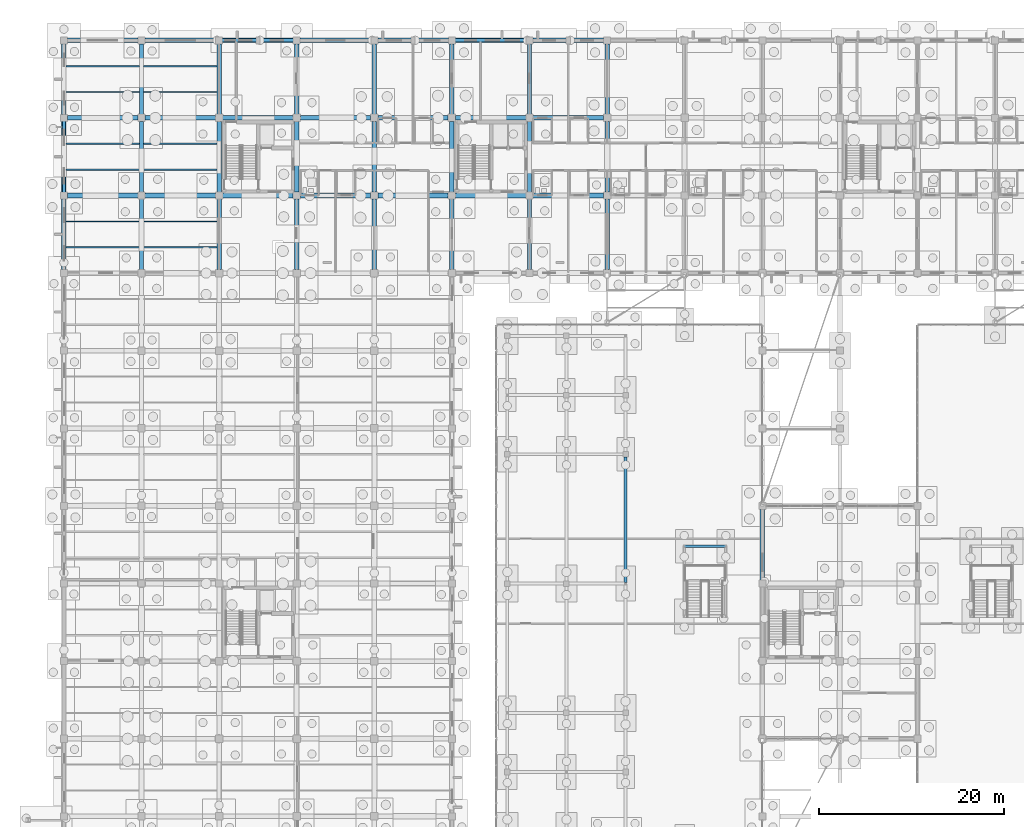
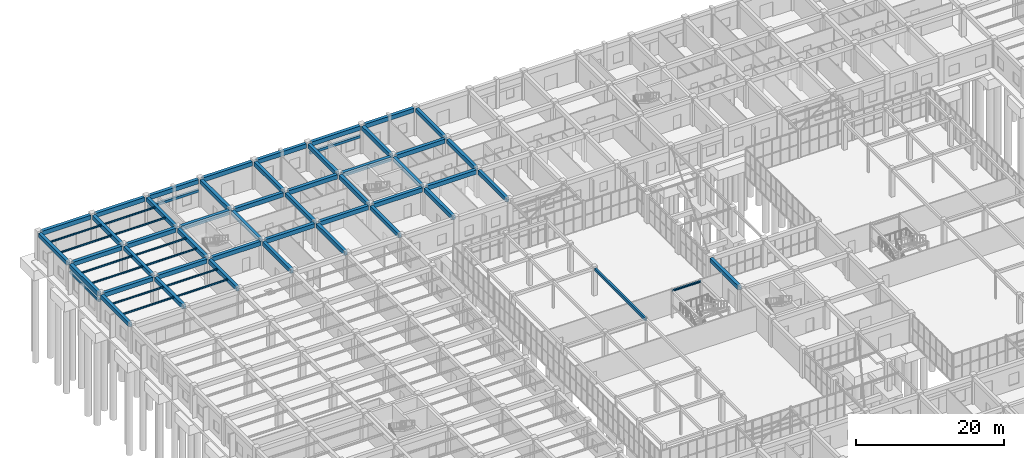
# One storey, part 92 of 192: 63 beams.
"""IFC4 building model written with IfcOpenShell, lengths in metres."""

from ifc_helpers import new_model, si_unit, direction, frame, origin, origin_2d, place, context, subcontext, project, spatial, rectangle, i_section, extrude, material, material_profile, profile_set, type_object, element, save


model = new_model("IFC4")

# Units and contexts
model_context = context("Model", 3, precision=1e-05, world=origin(), true_north=direction((0.0, 1.0)))
body_context = subcontext(model_context, "Body", "Model", "MODEL_VIEW")
ifc_project = project(units=[si_unit("LENGTHUNIT", "METRE"), si_unit("AREAUNIT", "SQUARE_METRE"), si_unit("VOLUMEUNIT", "CUBIC_METRE"), si_unit("PLANEANGLEUNIT", "RADIAN"), si_unit("MASSUNIT", "GRAM", prefix="KILO")], contexts=[model_context])

# Site, building, storey
site_placement = place(None, origin())
site = spatial("IfcSite", under=ifc_project, at=site_placement, CompositionType="ELEMENT")
building_placement = place(site_placement, origin())
building = spatial("IfcBuilding", under=site, at=building_placement, Name="Trelvath General Hospital", CompositionType="ELEMENT")
storey_placement = place(building_placement, origin())
storey = spatial("IfcBuildingStorey", under=building, at=storey_placement, Name="L00", CompositionType="ELEMENT", Elevation=0.0)

# Beams
ifc_material_1 = material(Name="Concrete C35/45", Category="concrete")
ifc_material_profile_1 = material_profile(ifc_material_1, rectangle(XDim=0.300048828125, YDim=0.449951171875, at=origin_2d()), Name="RCB300x450")
ifc_profile_set_1 = profile_set([ifc_material_profile_1], Name="Concrete C35/45")
beam_type_1 = type_object("IfcBeamType", Name="Beam RC300x450", PredefinedType="BEAM", material=ifc_profile_set_1)
beam_1_placement = place(storey_placement, frame((60.800048828125, 58.906005859375, 4.3349609375), z_axis=(0.0, 1.0, 0.0), x_axis=(-1.0, 0.0, 0.0)))
element("IfcBeam", 1, at=beam_1_placement, inside=storey, type_object=beam_type_1, Name="Cube Interior Ring Beam CUBE-W-T0 L00", PredefinedType="BEAM", context=body_context, shape_type="SweptSolid", body=[
    extrude(rectangle(XDim=0.300048828125, YDim=0.449951171875, at=origin_2d()), origin(), (0.0, 0.0, 1.0), 13.597900390625),
])
ifc_material_2 = material(Name="Concrete C35/45", Category="concrete")
ifc_material_profile_2 = material_profile(ifc_material_2, rectangle(XDim=0.47998046875, YDim=0.679931640625, at=origin_2d()), Name="RCB480x680")
ifc_profile_set_2 = profile_set([ifc_material_profile_2], Name="Concrete C35/45")
beam_type_2 = type_object("IfcBeamType", Name="Beam RC480x680", PredefinedType="BEAM", material=ifc_profile_set_2)
beam_2_placement = place(storey_placement, frame((0.0, 92.77490234375, 4.179931640625), z_axis=(0.0, 1.0, 0.0), x_axis=(-1.0, 0.0, 0.0)))
element("IfcBeam", 2, at=beam_2_placement, inside=storey, type_object=beam_type_2, Name="Grid Beam BY-000L", PredefinedType="BEAM", context=body_context, shape_type="SweptSolid", body=[
    extrude(rectangle(XDim=0.47998046875, YDim=0.679931640625, at=origin_2d()), origin(), (0.0, 0.0, 1.0), 7.650146484375),
])
beam_3_placement = place(storey_placement, frame((0.0, 101.175048828125, 4.179931640625), z_axis=(0.0, 1.0, 0.0), x_axis=(-1.0, 0.0, 0.0)))
element("IfcBeam", 3, at=beam_3_placement, inside=storey, type_object=beam_type_2, Name="Grid Beam BY-000M", PredefinedType="BEAM", context=body_context, shape_type="SweptSolid", body=[
    extrude(rectangle(XDim=0.47998046875, YDim=0.679931640625, at=origin_2d()), origin(), (0.0, 0.0, 1.0), 7.64990234375),
])
beam_4_placement = place(storey_placement, frame((0.0, 109.574951171875, 4.179931640625), z_axis=(0.0, 1.0, 0.0), x_axis=(-1.0, 0.0, 0.0)))
element("IfcBeam", 4, at=beam_4_placement, inside=storey, type_object=beam_type_2, Name="Grid Beam BY-000N", PredefinedType="BEAM", context=body_context, shape_type="SweptSolid", body=[
    extrude(rectangle(XDim=0.47998046875, YDim=0.679931640625, at=origin_2d()), origin(), (0.0, 0.0, 1.0), 7.650146484375),
])
beam_5_placement = place(storey_placement, frame((8.39990234375, 92.794921875, 4.179931640625), z_axis=(0.0, 1.0, 0.0), x_axis=(-1.0, 0.0, 0.0)))
element("IfcBeam", 5, at=beam_5_placement, inside=storey, type_object=beam_type_2, Name="Grid Beam BY-001L", PredefinedType="BEAM", context=body_context, shape_type="SweptSolid", body=[
    extrude(rectangle(XDim=0.47998046875, YDim=0.679931640625, at=origin_2d()), origin(), (0.0, 0.0, 1.0), 7.610107421875),
])
beam_6_placement = place(storey_placement, frame((8.39990234375, 101.195068359375, 4.179931640625), z_axis=(0.0, 1.0, 0.0), x_axis=(-1.0, 0.0, 0.0)))
element("IfcBeam", 6, at=beam_6_placement, inside=storey, type_object=beam_type_2, Name="Grid Beam BY-001M", PredefinedType="BEAM", context=body_context, shape_type="SweptSolid", body=[
    extrude(rectangle(XDim=0.47998046875, YDim=0.679931640625, at=origin_2d()), origin(), (0.0, 0.0, 1.0), 7.60986328125),
])
beam_7_placement = place(storey_placement, frame((8.39990234375, 109.594970703125, 4.179931640625), z_axis=(0.0, 1.0, 0.0), x_axis=(-1.0, 0.0, 0.0)))
element("IfcBeam", 7, at=beam_7_placement, inside=storey, type_object=beam_type_2, Name="Grid Beam BY-001N", PredefinedType="BEAM", context=body_context, shape_type="SweptSolid", body=[
    extrude(rectangle(XDim=0.47998046875, YDim=0.679931640625, at=origin_2d()), origin(), (0.0, 0.0, 1.0), 7.630126953125),
])
beam_8_placement = place(storey_placement, frame((16.800048828125, 92.794921875, 4.179931640625), z_axis=(0.0, 1.0, 0.0), x_axis=(-1.0, 0.0, 0.0)))
element("IfcBeam", 8, at=beam_8_placement, inside=storey, type_object=beam_type_2, Name="Grid Beam BY-002L", PredefinedType="BEAM", context=body_context, shape_type="SweptSolid", body=[
    extrude(rectangle(XDim=0.47998046875, YDim=0.679931640625, at=origin_2d()), origin(), (0.0, 0.0, 1.0), 7.610107421875),
])
beam_9_placement = place(storey_placement, frame((16.800048828125, 101.195068359375, 4.179931640625), z_axis=(0.0, 1.0, 0.0), x_axis=(-1.0, 0.0, 0.0)))
element("IfcBeam", 9, at=beam_9_placement, inside=storey, type_object=beam_type_2, Name="Grid Beam BY-002M", PredefinedType="BEAM", context=body_context, shape_type="SweptSolid", body=[
    extrude(rectangle(XDim=0.47998046875, YDim=0.679931640625, at=origin_2d()), origin(), (0.0, 0.0, 1.0), 7.60986328125),
])
beam_10_placement = place(storey_placement, frame((16.800048828125, 109.594970703125, 4.179931640625), z_axis=(0.0, 1.0, 0.0), x_axis=(-1.0, 0.0, 0.0)))
element("IfcBeam", 10, at=beam_10_placement, inside=storey, type_object=beam_type_2, Name="Grid Beam BY-002N", PredefinedType="BEAM", context=body_context, shape_type="SweptSolid", body=[
    extrude(rectangle(XDim=0.47998046875, YDim=0.679931640625, at=origin_2d()), origin(), (0.0, 0.0, 1.0), 7.630126953125),
])
beam_11_placement = place(storey_placement, frame((25.199951171875, 92.794921875, 4.179931640625), z_axis=(0.0, 1.0, 0.0), x_axis=(-1.0, 0.0, 0.0)))
element("IfcBeam", 11, at=beam_11_placement, inside=storey, type_object=beam_type_2, Name="Grid Beam BY-003L", PredefinedType="BEAM", context=body_context, shape_type="SweptSolid", body=[
    extrude(rectangle(XDim=0.47998046875, YDim=0.679931640625, at=origin_2d()), origin(), (0.0, 0.0, 1.0), 7.610107421875),
])
beam_12_placement = place(storey_placement, frame((25.199951171875, 101.195068359375, 4.179931640625), z_axis=(0.0, 1.0, 0.0), x_axis=(-1.0, 0.0, 0.0)))
element("IfcBeam", 12, at=beam_12_placement, inside=storey, type_object=beam_type_2, Name="Grid Beam BY-003M", PredefinedType="BEAM", context=body_context, shape_type="SweptSolid", body=[
    extrude(rectangle(XDim=0.47998046875, YDim=0.679931640625, at=origin_2d()), origin(), (0.0, 0.0, 1.0), 7.60986328125),
])
beam_13_placement = place(storey_placement, frame((25.199951171875, 109.594970703125, 4.179931640625), z_axis=(0.0, 1.0, 0.0), x_axis=(-1.0, 0.0, 0.0)))
element("IfcBeam", 13, at=beam_13_placement, inside=storey, type_object=beam_type_2, Name="Grid Beam BY-003N", PredefinedType="BEAM", context=body_context, shape_type="SweptSolid", body=[
    extrude(rectangle(XDim=0.47998046875, YDim=0.679931640625, at=origin_2d()), origin(), (0.0, 0.0, 1.0), 7.630126953125),
])
beam_14_placement = place(storey_placement, frame((33.60009765625, 92.794921875, 4.179931640625), z_axis=(0.0, 1.0, 0.0), x_axis=(-1.0, 0.0, 0.0)))
element("IfcBeam", 14, at=beam_14_placement, inside=storey, type_object=beam_type_2, Name="Grid Beam BY-004L", PredefinedType="BEAM", context=body_context, shape_type="SweptSolid", body=[
    extrude(rectangle(XDim=0.47998046875, YDim=0.679931640625, at=origin_2d()), origin(), (0.0, 0.0, 1.0), 7.610107421875),
])
beam_15_placement = place(storey_placement, frame((33.60009765625, 101.195068359375, 4.179931640625), z_axis=(0.0, 1.0, 0.0), x_axis=(-1.0, 0.0, 0.0)))
element("IfcBeam", 15, at=beam_15_placement, inside=storey, type_object=beam_type_2, Name="Grid Beam BY-004M", PredefinedType="BEAM", context=body_context, shape_type="SweptSolid", body=[
    extrude(rectangle(XDim=0.47998046875, YDim=0.679931640625, at=origin_2d()), origin(), (0.0, 0.0, 1.0), 7.60986328125),
])
for number, where, z_axis, x_axis, name in (
    (16, (33.60009765625, 109.594970703125, 4.179931640625), (0.0, 1.0, 0.0), (-1.0, 0.0, 0.0), "Grid Beam BY-004N"),
    (17, (42.0, 92.77490234375, 4.179931640625), (0.0, 1.0, 0.0), (-1.0, 0.0, 0.0), "Grid Beam BY-005L"),
):
    element("IfcBeam", number, at=place(storey_placement, frame(where, z_axis=z_axis, x_axis=x_axis)), inside=storey, type_object=beam_type_2, Name=name, PredefinedType="BEAM", context=body_context, shape_type="SweptSolid", body=[
        extrude(rectangle(XDim=0.47998046875, YDim=0.679931640625, at=origin_2d()), origin(), (0.0, 0.0, 1.0), 7.630126953125),
    ])
beam_16_placement = place(storey_placement, frame((42.0, 101.195068359375, 4.179931640625), z_axis=(0.0, 1.0, 0.0), x_axis=(-1.0, 0.0, 0.0)))
element("IfcBeam", 18, at=beam_16_placement, inside=storey, type_object=beam_type_2, Name="Grid Beam BY-005M", PredefinedType="BEAM", context=body_context, shape_type="SweptSolid", body=[
    extrude(rectangle(XDim=0.47998046875, YDim=0.679931640625, at=origin_2d()), origin(), (0.0, 0.0, 1.0), 7.60986328125),
])
for number, where, z_axis, x_axis, name in (
    (19, (42.0, 109.594970703125, 4.179931640625), (0.0, 1.0, 0.0), (-1.0, 0.0, 0.0), "Grid Beam BY-005N"),
    (20, (50.39990234375, 92.77490234375, 4.179931640625), (0.0, 1.0, 0.0), (-1.0, 0.0, 0.0), "Grid Beam BY-006L"),
):
    element("IfcBeam", number, at=place(storey_placement, frame(where, z_axis=z_axis, x_axis=x_axis)), inside=storey, type_object=beam_type_2, Name=name, PredefinedType="BEAM", context=body_context, shape_type="SweptSolid", body=[
        extrude(rectangle(XDim=0.47998046875, YDim=0.679931640625, at=origin_2d()), origin(), (0.0, 0.0, 1.0), 7.630126953125),
    ])
beam_17_placement = place(storey_placement, frame((50.39990234375, 101.195068359375, 4.179931640625), z_axis=(0.0, 1.0, 0.0), x_axis=(-1.0, 0.0, 0.0)))
element("IfcBeam", 21, at=beam_17_placement, inside=storey, type_object=beam_type_2, Name="Grid Beam BY-006M", PredefinedType="BEAM", context=body_context, shape_type="SweptSolid", body=[
    extrude(rectangle(XDim=0.47998046875, YDim=0.679931640625, at=origin_2d()), origin(), (0.0, 0.0, 1.0), 7.60986328125),
])
for number, where, z_axis, x_axis, name in (
    (22, (50.39990234375, 109.594970703125, 4.179931640625), (0.0, 1.0, 0.0), (-1.0, 0.0, 0.0), "Grid Beam BY-006N"),
    (23, (58.800048828125, 92.77490234375, 4.179931640625), (0.0, 1.0, 0.0), (-1.0, 0.0, 0.0), "Grid Beam BY-007L"),
):
    element("IfcBeam", number, at=place(storey_placement, frame(where, z_axis=z_axis, x_axis=x_axis)), inside=storey, type_object=beam_type_2, Name=name, PredefinedType="BEAM", context=body_context, shape_type="SweptSolid", body=[
        extrude(rectangle(XDim=0.47998046875, YDim=0.679931640625, at=origin_2d()), origin(), (0.0, 0.0, 1.0), 7.630126953125),
    ])
beam_18_placement = place(storey_placement, frame((58.800048828125, 101.195068359375, 4.179931640625), z_axis=(0.0, 1.0, 0.0), x_axis=(-1.0, 0.0, 0.0)))
element("IfcBeam", 24, at=beam_18_placement, inside=storey, type_object=beam_type_2, Name="Grid Beam BY-007M", PredefinedType="BEAM", context=body_context, shape_type="SweptSolid", body=[
    extrude(rectangle(XDim=0.47998046875, YDim=0.679931640625, at=origin_2d()), origin(), (0.0, 0.0, 1.0), 7.60986328125),
])
beam_19_placement = place(storey_placement, frame((58.800048828125, 109.594970703125, 4.179931640625), z_axis=(0.0, 1.0, 0.0), x_axis=(-1.0, 0.0, 0.0)))
element("IfcBeam", 25, at=beam_19_placement, inside=storey, type_object=beam_type_2, Name="Grid Beam BY-007N", PredefinedType="BEAM", context=body_context, shape_type="SweptSolid", body=[
    extrude(rectangle(XDim=0.47998046875, YDim=0.679931640625, at=origin_2d()), origin(), (0.0, 0.0, 1.0), 7.630126953125),
])
beam_20_placement = place(storey_placement, frame((75.60009765625, 59.175048828125, 4.179931640625), z_axis=(0.0, 1.0, 0.0), x_axis=(-1.0, 0.0, 0.0)))
element("IfcBeam", 26, at=beam_20_placement, inside=storey, type_object=beam_type_2, Name="Grid Beam BY-009H", PredefinedType="BEAM", context=body_context, shape_type="SweptSolid", body=[
    extrude(rectangle(XDim=0.47998046875, YDim=0.679931640625, at=origin_2d()), origin(), (0.0, 0.0, 1.0), 7.64990234375),
])
ifc_material_3 = material(Name="Concrete C35/45", Category="concrete")
ifc_material_profile_3 = material_profile(ifc_material_3, rectangle(XDim=0.5, YDim=0.699951171875, at=origin_2d()), Name="RCB500x700")
ifc_profile_set_3 = profile_set([ifc_material_profile_3], Name="Concrete C35/45")
beam_type_3 = type_object("IfcBeamType", Name="Beam RC500x700", PredefinedType="BEAM", material=ifc_profile_set_3)
for number, where, z_axis, x_axis, name in (
    (27, (0.375, 100.800048828125, 4.169921875), (1.0, 0.0, 0.0), (0.0, 1.0, 0.0), "Grid Beam BX-000M"),
    (28, (0.375, 109.199951171875, 4.169921875), (1.0, 0.0, 0.0), (0.0, 1.0, 0.0), "Grid Beam BX-000N"),
):
    element("IfcBeam", number, at=place(storey_placement, frame(where, z_axis=z_axis, x_axis=x_axis)), inside=storey, type_object=beam_type_3, Name=name, PredefinedType="BEAM", context=body_context, shape_type="SweptSolid", body=[
        extrude(rectangle(XDim=0.5, YDim=0.699951171875, at=origin_2d()), origin(), (0.0, 0.0, 1.0), 7.6298828125),
    ])
beam_21_placement = place(storey_placement, frame((0.375, 117.60009765625, 4.169921875), z_axis=(1.0, 0.0, 0.0), x_axis=(0.0, 1.0, 0.0)))
element("IfcBeam", 29, at=beam_21_placement, inside=storey, type_object=beam_type_3, Name="Grid Beam BX-000O", PredefinedType="BEAM", context=body_context, shape_type="SweptSolid", body=[
    extrude(rectangle(XDim=0.5, YDim=0.699951171875, at=origin_2d()), origin(), (0.0, 0.0, 1.0), 7.64990234375),
])
for number, where, z_axis, x_axis, name in (
    (30, (8.794921875, 100.800048828125, 4.169921875), (1.0, 0.0, 0.0), (0.0, 1.0, 0.0), "Grid Beam BX-001M"),
    (31, (8.794921875, 109.199951171875, 4.169921875), (1.0, 0.0, 0.0), (0.0, 1.0, 0.0), "Grid Beam BX-001N"),
):
    element("IfcBeam", number, at=place(storey_placement, frame(where, z_axis=z_axis, x_axis=x_axis)), inside=storey, type_object=beam_type_3, Name=name, PredefinedType="BEAM", context=body_context, shape_type="SweptSolid", body=[
        extrude(rectangle(XDim=0.5, YDim=0.699951171875, at=origin_2d()), origin(), (0.0, 0.0, 1.0), 7.610107421875),
    ])
beam_22_placement = place(storey_placement, frame((8.77490234375, 117.60009765625, 4.169921875), z_axis=(1.0, 0.0, 0.0), x_axis=(0.0, 1.0, 0.0)))
element("IfcBeam", 32, at=beam_22_placement, inside=storey, type_object=beam_type_3, Name="Grid Beam BX-001O", PredefinedType="BEAM", context=body_context, shape_type="SweptSolid", body=[
    extrude(rectangle(XDim=0.5, YDim=0.699951171875, at=origin_2d()), origin(), (0.0, 0.0, 1.0), 7.650146484375),
])
for number, where, z_axis, x_axis, name in (
    (33, (17.195068359375, 100.800048828125, 4.169921875), (1.0, 0.0, 0.0), (0.0, 1.0, 0.0), "Grid Beam BX-002M"),
    (34, (17.195068359375, 109.199951171875, 4.169921875), (1.0, 0.0, 0.0), (0.0, 1.0, 0.0), "Grid Beam BX-002N"),
):
    element("IfcBeam", number, at=place(storey_placement, frame(where, z_axis=z_axis, x_axis=x_axis)), inside=storey, type_object=beam_type_3, Name=name, PredefinedType="BEAM", context=body_context, shape_type="SweptSolid", body=[
        extrude(rectangle(XDim=0.5, YDim=0.699951171875, at=origin_2d()), origin(), (0.0, 0.0, 1.0), 7.60986328125),
    ])
beam_23_placement = place(storey_placement, frame((17.175048828125, 117.60009765625, 4.169921875), z_axis=(1.0, 0.0, 0.0), x_axis=(0.0, 1.0, 0.0)))
element("IfcBeam", 35, at=beam_23_placement, inside=storey, type_object=beam_type_3, Name="Grid Beam BX-002O", PredefinedType="BEAM", context=body_context, shape_type="SweptSolid", body=[
    extrude(rectangle(XDim=0.5, YDim=0.699951171875, at=origin_2d()), origin(), (0.0, 0.0, 1.0), 7.64990234375),
])
for number, where, z_axis, x_axis, name in (
    (36, (25.594970703125, 100.800048828125, 4.169921875), (1.0, 0.0, 0.0), (0.0, 1.0, 0.0), "Grid Beam BX-003M"),
    (37, (25.594970703125, 109.199951171875, 4.169921875), (1.0, 0.0, 0.0), (0.0, 1.0, 0.0), "Grid Beam BX-003N"),
):
    element("IfcBeam", number, at=place(storey_placement, frame(where, z_axis=z_axis, x_axis=x_axis)), inside=storey, type_object=beam_type_3, Name=name, PredefinedType="BEAM", context=body_context, shape_type="SweptSolid", body=[
        extrude(rectangle(XDim=0.5, YDim=0.699951171875, at=origin_2d()), origin(), (0.0, 0.0, 1.0), 7.610107421875),
    ])
beam_24_placement = place(storey_placement, frame((25.574951171875, 117.60009765625, 4.169921875), z_axis=(1.0, 0.0, 0.0), x_axis=(0.0, 1.0, 0.0)))
element("IfcBeam", 38, at=beam_24_placement, inside=storey, type_object=beam_type_3, Name="Grid Beam BX-003O", PredefinedType="BEAM", context=body_context, shape_type="SweptSolid", body=[
    extrude(rectangle(XDim=0.5, YDim=0.699951171875, at=origin_2d()), origin(), (0.0, 0.0, 1.0), 7.650146484375),
])
for number, where, z_axis, x_axis, name in (
    (39, (33.9951171875, 100.800048828125, 4.169921875), (1.0, 0.0, 0.0), (0.0, 1.0, 0.0), "Grid Beam BX-004M"),
    (40, (33.9951171875, 109.199951171875, 4.169921875), (1.0, 0.0, 0.0), (0.0, 1.0, 0.0), "Grid Beam BX-004N"),
):
    element("IfcBeam", number, at=place(storey_placement, frame(where, z_axis=z_axis, x_axis=x_axis)), inside=storey, type_object=beam_type_3, Name=name, PredefinedType="BEAM", context=body_context, shape_type="SweptSolid", body=[
        extrude(rectangle(XDim=0.5, YDim=0.699951171875, at=origin_2d()), origin(), (0.0, 0.0, 1.0), 7.60986328125),
    ])
beam_25_placement = place(storey_placement, frame((33.97509765625, 117.60009765625, 4.169921875), z_axis=(1.0, 0.0, 0.0), x_axis=(0.0, 1.0, 0.0)))
element("IfcBeam", 41, at=beam_25_placement, inside=storey, type_object=beam_type_3, Name="Grid Beam BX-004O", PredefinedType="BEAM", context=body_context, shape_type="SweptSolid", body=[
    extrude(rectangle(XDim=0.5, YDim=0.699951171875, at=origin_2d()), origin(), (0.0, 0.0, 1.0), 7.64990234375),
])
for number, where, z_axis, x_axis, name in (
    (42, (42.39501953125, 100.800048828125, 4.169921875), (1.0, 0.0, 0.0), (0.0, 1.0, 0.0), "Grid Beam BX-005M"),
    (43, (42.39501953125, 109.199951171875, 4.169921875), (1.0, 0.0, 0.0), (0.0, 1.0, 0.0), "Grid Beam BX-005N"),
):
    element("IfcBeam", number, at=place(storey_placement, frame(where, z_axis=z_axis, x_axis=x_axis)), inside=storey, type_object=beam_type_3, Name=name, PredefinedType="BEAM", context=body_context, shape_type="SweptSolid", body=[
        extrude(rectangle(XDim=0.5, YDim=0.699951171875, at=origin_2d()), origin(), (0.0, 0.0, 1.0), 7.60986328125),
    ])
beam_26_placement = place(storey_placement, frame((42.375, 117.60009765625, 4.169921875), z_axis=(1.0, 0.0, 0.0), x_axis=(0.0, 1.0, 0.0)))
element("IfcBeam", 44, at=beam_26_placement, inside=storey, type_object=beam_type_3, Name="Grid Beam BX-005O", PredefinedType="BEAM", context=body_context, shape_type="SweptSolid", body=[
    extrude(rectangle(XDim=0.5, YDim=0.699951171875, at=origin_2d()), origin(), (0.0, 0.0, 1.0), 7.64990234375),
])
for number, where, z_axis, x_axis, name in (
    (45, (50.794921875, 100.800048828125, 4.169921875), (1.0, 0.0, 0.0), (0.0, 1.0, 0.0), "Grid Beam BX-006M"),
    (46, (50.794921875, 109.199951171875, 4.169921875), (1.0, 0.0, 0.0), (0.0, 1.0, 0.0), "Grid Beam BX-006N"),
):
    element("IfcBeam", number, at=place(storey_placement, frame(where, z_axis=z_axis, x_axis=x_axis)), inside=storey, type_object=beam_type_3, Name=name, PredefinedType="BEAM", context=body_context, shape_type="SweptSolid", body=[
        extrude(rectangle(XDim=0.5, YDim=0.699951171875, at=origin_2d()), origin(), (0.0, 0.0, 1.0), 7.610107421875),
    ])
beam_27_placement = place(storey_placement, frame((50.77490234375, 117.60009765625, 4.169921875), z_axis=(1.0, 0.0, 0.0), x_axis=(0.0, 1.0, 0.0)))
element("IfcBeam", 47, at=beam_27_placement, inside=storey, type_object=beam_type_3, Name="Grid Beam BX-006O", PredefinedType="BEAM", context=body_context, shape_type="SweptSolid", body=[
    extrude(rectangle(XDim=0.5, YDim=0.699951171875, at=origin_2d()), origin(), (0.0, 0.0, 1.0), 7.650146484375),
])
ifc_material_4 = material(Name="Steel S355", Category="steel")
ifc_material_profile_4 = material_profile(ifc_material_4, i_section(OverallWidth=0.135009765625, OverallDepth=0.27001953125, WebThickness=0.006591796875, FlangeThickness=0.01025390625, at=origin_2d()), Name="IPE270")
ifc_profile_set_4 = profile_set([ifc_material_profile_4], Name="Steel S355")
beam_type_4 = type_object("IfcBeamType", Name="InterstitialJoist IPE270", PredefinedType="JOIST", material=ifc_profile_set_4)
for number, where, z_axis, x_axis, name in (
    (48, (0.22998046875, 95.199951171875, 4.385009765625), (1.0, 0.0, 0.0), (0.0, 1.0, 0.0), "Interstitial Deck Joist IJ-1-023"),
    (49, (0.22998046875, 98.0, 4.385009765625), (1.0, 0.0, 0.0), (0.0, 1.0, 0.0), "Interstitial Deck Joist IJ-1-024"),
    (50, (0.22998046875, 103.60009765625, 4.385009765625), (1.0, 0.0, 0.0), (0.0, 1.0, 0.0), "Interstitial Deck Joist IJ-1-025"),
    (51, (0.22998046875, 106.39990234375, 4.385009765625), (1.0, 0.0, 0.0), (0.0, 1.0, 0.0), "Interstitial Deck Joist IJ-1-026"),
    (52, (0.22998046875, 112.0, 4.385009765625), (1.0, 0.0, 0.0), (0.0, 1.0, 0.0), "Interstitial Deck Joist IJ-1-027"),
    (53, (0.22998046875, 114.800048828125, 4.385009765625), (1.0, 0.0, 0.0), (0.0, 1.0, 0.0), "Interstitial Deck Joist IJ-1-028"),
):
    element("IfcBeam", number, at=place(storey_placement, frame(where, z_axis=z_axis, x_axis=x_axis)), inside=storey, type_object=beam_type_4, Name=name, PredefinedType="JOIST", context=body_context, shape_type="SweptSolid", body=[
        extrude(i_section(OverallWidth=0.135009765625, OverallDepth=0.27001953125, WebThickness=0.006591796875, FlangeThickness=0.01025390625, at=origin_2d()), origin(), (0.0, 0.0, 1.0), 7.93994140625),
    ])
for number, where, z_axis, x_axis, name in (
    (54, (8.6298828125, 95.199951171875, 4.385009765625), (1.0, 0.0, 0.0), (0.0, 1.0, 0.0), "Interstitial Deck Joist IJ-1-051"),
    (55, (8.6298828125, 98.0, 4.385009765625), (1.0, 0.0, 0.0), (0.0, 1.0, 0.0), "Interstitial Deck Joist IJ-1-052"),
    (56, (8.6298828125, 103.60009765625, 4.385009765625), (1.0, 0.0, 0.0), (0.0, 1.0, 0.0), "Interstitial Deck Joist IJ-1-053"),
    (57, (8.6298828125, 106.39990234375, 4.385009765625), (1.0, 0.0, 0.0), (0.0, 1.0, 0.0), "Interstitial Deck Joist IJ-1-054"),
    (58, (8.6298828125, 112.0, 4.385009765625), (1.0, 0.0, 0.0), (0.0, 1.0, 0.0), "Interstitial Deck Joist IJ-1-055"),
    (59, (8.6298828125, 114.800048828125, 4.385009765625), (1.0, 0.0, 0.0), (0.0, 1.0, 0.0), "Interstitial Deck Joist IJ-1-056"),
):
    element("IfcBeam", number, at=place(storey_placement, frame(where, z_axis=z_axis, x_axis=x_axis)), inside=storey, type_object=beam_type_4, Name=name, PredefinedType="JOIST", context=body_context, shape_type="SweptSolid", body=[
        extrude(i_section(OverallWidth=0.135009765625, OverallDepth=0.27001953125, WebThickness=0.006591796875, FlangeThickness=0.01025390625, at=origin_2d()), origin(), (0.0, 0.0, 1.0), 7.940185546875),
    ])
ifc_material_5 = material(Name="Precast concrete C40/50", Category="concrete")
ifc_material_profile_5 = material_profile(ifc_material_5, rectangle(XDim=0.35009765625, YDim=0.419921875, at=origin_2d()), Name="PCL350x420")
ifc_profile_set_5 = profile_set([ifc_material_profile_5], Name="Precast concrete C40/50")
beam_type_5 = type_object("IfcBeamType", Name="Lintel PC350x420", PredefinedType="LINTEL", material=ifc_profile_set_5)
for number, where, z_axis, x_axis, name in (
    (60, (0.0, 101.094970703125, 3.1201171875), (0.0, 1.0, 0.0), (-1.0, 0.0, 0.0), "Precast Window Brow Lintel L00-14"),
    (61, (17.094970703125, 117.60009765625, 2.570068359375), (1.0, 0.0, 0.0), (0.0, 1.0, 0.0), "Precast Window Brow Lintel L00-20"),
    (62, (42.294921875, 117.60009765625, 2.68994140625), (1.0, 0.0, 0.0), (0.0, 1.0, 0.0), "Precast Window Brow Lintel L00-36"),
):
    element("IfcBeam", number, at=place(storey_placement, frame(where, z_axis=z_axis, x_axis=x_axis)), inside=storey, type_object=beam_type_5, Name=name, PredefinedType="LINTEL", context=body_context, shape_type="SweptSolid", body=[
        extrude(rectangle(XDim=0.35009765625, YDim=0.419921875, at=origin_2d()), origin(), (0.0, 0.0, 1.0), 7.81005859375),
    ])
ifc_material_6 = material(Name="Steel S355", Category="steel")
ifc_material_profile_6 = material_profile(ifc_material_6, i_section(OverallWidth=0.260009765625, OverallDepth=0.25, WebThickness=0.007568359375, FlangeThickness=0.012451171875, at=origin_2d()), Name="HEA260")
ifc_profile_set_6 = profile_set([ifc_material_profile_6], Name="Steel S355")
beam_type_6 = type_object("IfcBeamType", Name="RingBeam HEA260", PredefinedType="BEAM", material=ifc_profile_set_6)
beam_28_placement = place(storey_placement, frame((67.14990234375, 62.85009765625, 4.4150390625), z_axis=(1.0, 0.0, 0.0), x_axis=(0.0, 1.0, 0.0)))
element("IfcBeam", 63, at=beam_28_placement, inside=storey, type_object=beam_type_6, Name="Atrium Ring Beam CUBE-W N L00", PredefinedType="BEAM", context=body_context, shape_type="SweptSolid", body=[
    extrude(i_section(OverallWidth=0.260009765625, OverallDepth=0.25, WebThickness=0.007568359375, FlangeThickness=0.012451171875, at=origin_2d()), origin(), (0.0, 0.0, 1.0), 4.5),
])

save(model, "model.ifc")
